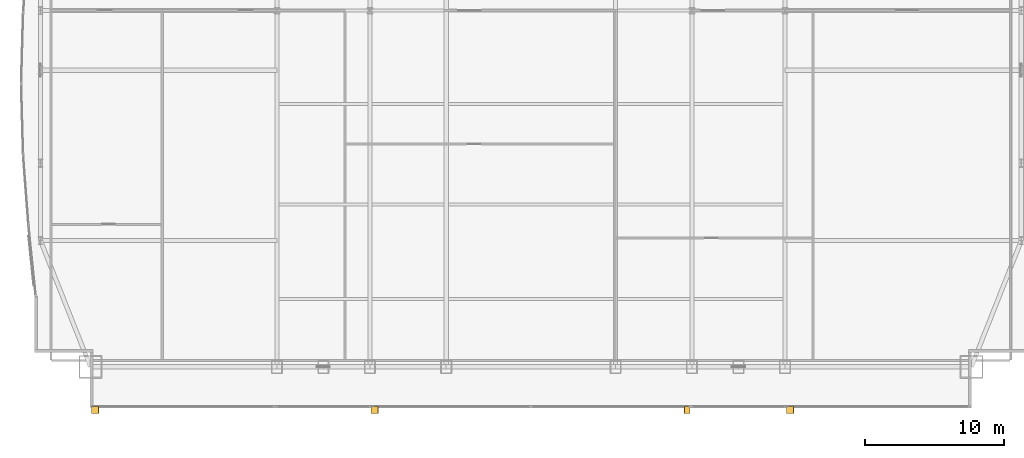
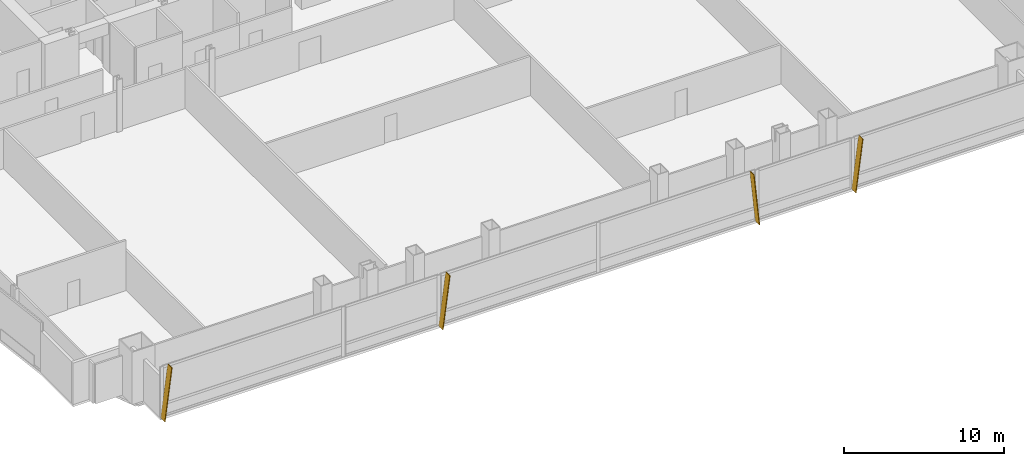
# One storey, part 32 of 33: 4 shading devices.
"""IFC4 building model written with IfcOpenShell, lengths in metres."""

from ifc_helpers import new_model, si_unit, direction, frame, origin, place, context, subcontext, project, spatial, polyline, outline, extrude, material, layer, layer_set, type_object, element, save


model = new_model("IFC4")

# Units and contexts
model_context = context("Model", 3, precision=1e-05, world=origin(), true_north=direction((0.0, 1.0)))
body_context = subcontext(model_context, "Body", "Model", "MODEL_VIEW")
ifc_project = project(units=[si_unit("LENGTHUNIT", "METRE"), si_unit("AREAUNIT", "SQUARE_METRE"), si_unit("VOLUMEUNIT", "CUBIC_METRE"), si_unit("PLANEANGLEUNIT", "RADIAN"), si_unit("MASSUNIT", "GRAM", prefix="KILO")], contexts=[model_context])

# Site, building, storey
site_placement = place(None, origin())
site = spatial("IfcSite", under=ifc_project, at=site_placement, CompositionType="ELEMENT")
building_placement = place(site_placement, origin())
building = spatial("IfcBuilding", under=site, at=building_placement, Name="Khoronbel Lancet Exchange", CompositionType="ELEMENT")
storey_placement = place(building_placement, frame((0.0, 0.0, 33.800048828125)))
storey = spatial("IfcBuildingStorey", under=building, at=storey_placement, Name="L07", CompositionType="ELEMENT", Elevation=33.800048828125)

# Shading devices
ifc_material = material(Name="Bronze-Anodised Aluminium 6063-T6", Category="aluminium")
ifc_layer = layer(ifc_material, 0.054931640625, Name="Bronze-Anodised Aluminium 6063-T6")
ifc_layer_set = layer_set([ifc_layer], Name="Bronze-Anodised Aluminium 6063-T6")
shading_device_type = type_object("IfcShadingDeviceType", Name="SHD-FIN1", PredefinedType="USERDEFINED", material=ifc_layer_set)
for number, where, z_axis, x_axis, name in (
    (1, (4.91259765625, 7.31005859375, -0.080078125), (-0.991889216598, 0.0, 0.127105397195), (0.0, -1.0, 0.0), "Slanted bronze solar fin CW-L07-SWV-0"),
    (2, (24.972412109375, 7.31005859375, -0.080078125), (-0.991881465906, 0.0, 0.127165866462), (0.0, -1.0, 0.0), "Slanted bronze solar fin CW-L07-SCV-0"),
):
    element("IfcShadingDevice", number, at=place(storey_placement, frame(where, z_axis=z_axis, x_axis=x_axis)), inside=storey, type_object=shading_device_type, Name=name, ObjectType="FIN", PredefinedType="USERDEFINED", context=body_context, shape_type="SweptSolid", body=[
        extrude(outline(polyline([(0.0, 0.0), (0.52001953125, 0.0), (0.52001953125, 3.97216796875), (0.0, 3.97216796875), (0.0, 0.0)])), origin(), (0.0, 0.0, -1.0), 0.054931640625),
    ])
shading_device_1_placement = place(storey_placement, frame((47.87255859375, 7.31005859375, -0.080078125), z_axis=(0.995011517869, 0.0, 0.099760108806), x_axis=(0.0, -1.0, 0.0)))
element("IfcShadingDevice", 3, at=shading_device_1_placement, inside=storey, type_object=shading_device_type, Name="Slanted bronze solar fin CW-L07-SCV-2", ObjectType="FIN", PredefinedType="USERDEFINED", context=body_context, shape_type="SweptSolid", body=[
    extrude(outline(polyline([(0.0, 0.0), (0.52001953125, 0.0), (0.52001953125, -3.959716796875), (0.0, -3.959716796875), (0.0, 0.0)])), origin(), (0.0, 0.0, -1.0), 0.054931640625),
])
shading_device_2_placement = place(storey_placement, frame((54.7724609375, 7.31005859375, -0.080078125), z_axis=(-0.991881465906, 0.0, 0.127165866462), x_axis=(0.0, -1.0, 0.0)))
element("IfcShadingDevice", 4, at=shading_device_2_placement, inside=storey, type_object=shading_device_type, Name="Slanted bronze solar fin CW-L07-SEV-0", ObjectType="FIN", PredefinedType="USERDEFINED", context=body_context, shape_type="SweptSolid", body=[
    extrude(outline(polyline([(0.0, 0.0), (0.52001953125, 0.0), (0.52001953125, 3.97216796875), (0.0, 3.97216796875), (0.0, 0.0)])), origin(), (0.0, 0.0, -1.0), 0.054931640625),
])

save(model, "model.ifc")
